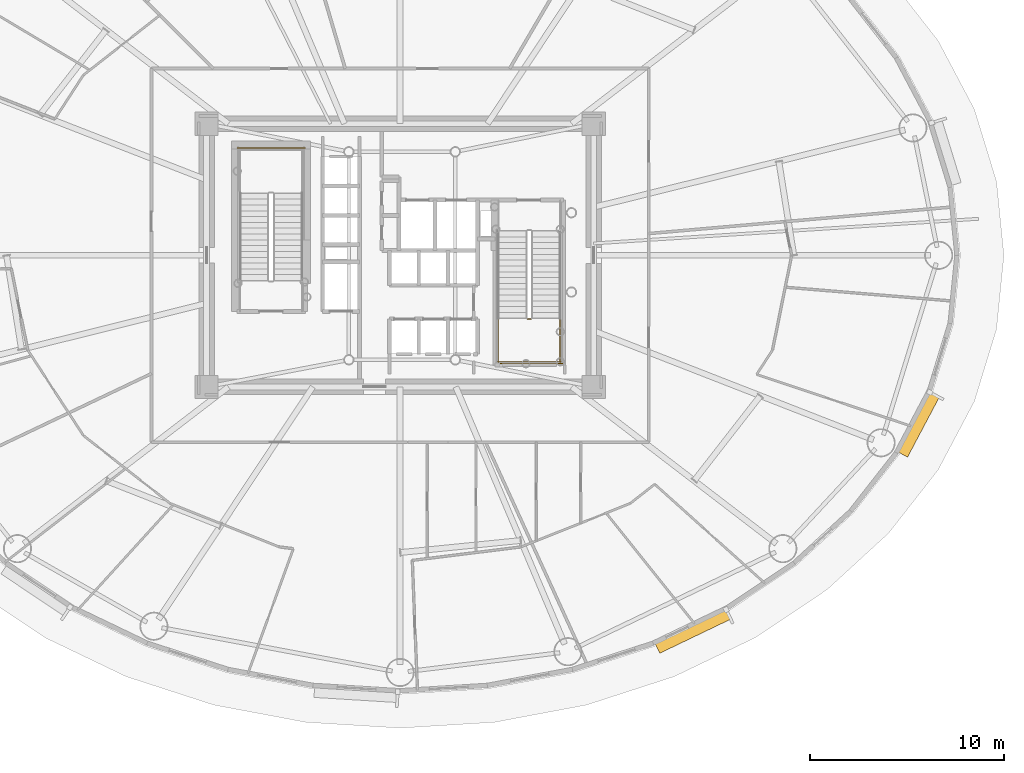
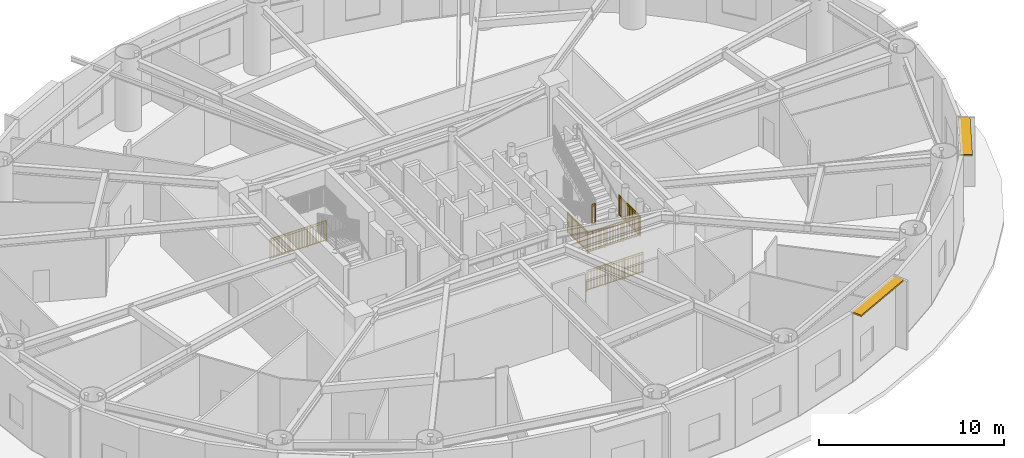
# One storey, part 16 of 19: 6 railings, 2 shading devices.
"""IFC4 building model written with IfcOpenShell, lengths in metres."""

from ifc_helpers import new_model, si_unit, direction, frame, origin, origin_2d, place, context, subcontext, project, spatial, rectangle, extrude, source, transform, mapped, material, layer, layer_set, type_object, element, save


model = new_model("IFC4")

# Units and contexts
model_context = context("Model", 3, precision=1e-05, world=origin(), true_north=direction((0.0, 1.0)))
body_context = subcontext(model_context, "Body", "Model", "MODEL_VIEW")
ifc_project = project(units=[si_unit("LENGTHUNIT", "METRE"), si_unit("AREAUNIT", "SQUARE_METRE"), si_unit("VOLUMEUNIT", "CUBIC_METRE"), si_unit("PLANEANGLEUNIT", "RADIAN"), si_unit("MASSUNIT", "GRAM", prefix="KILO")], contexts=[model_context])

# Site, building, storey
site_placement = place(None, origin())
site = spatial("IfcSite", under=ifc_project, at=site_placement, CompositionType="ELEMENT")
building_placement = place(site_placement, origin())
building = spatial("IfcBuilding", under=site, at=building_placement, Name="Linh Dai School and Residence Tower", CompositionType="ELEMENT")
storey_placement = place(building_placement, frame((0.0, 0.0, 92.39990234375)))
storey = spatial("IfcBuildingStorey", under=building, at=storey_placement, Name="L21", CompositionType="ELEMENT", Elevation=92.39990234375)

# Shading devices
ifc_material_1 = material(Name="Terracotta Ceramic Sunshade", Category="masonry")
ifc_layer = layer(ifc_material_1, 0.10009765625)
ifc_layer_set = layer_set([ifc_layer], Name="Terracotta Ceramic Sunshade")
shading_device_type = type_object("IfcShadingDeviceType", Name="SHD-TC-650", PredefinedType="USERDEFINED", material=ifc_layer_set)
shared_shape_1 = source(origin(), body_context, "Body", "SweptSolid", [
    extrude(rectangle(XDim=4.1005859375, YDim=0.64990234375, at=origin_2d()), origin(), (0.0, 0.0, 1.0), 0.10009765625),
])
shading_device_1_placement = place(storey_placement, frame((51.122802734375, 7.61962890625, 4.429931640625), z_axis=(0.0, 0.0, 1.0), x_axis=(-0.901577518371, -0.432617589064, 0.0)))
element("IfcShadingDevice", 1, at=shading_device_1_placement, inside=storey, type_object=shading_device_type, Name="L21 Terracotta Horizontal Sunshade Band 34", ObjectType="SUNSHADE", PredefinedType="USERDEFINED", context=body_context, shape_type="MappedRepresentation", body=[
    mapped(shared_shape_1, transform((0.0, 0.0, 0.0), x_axis=(1.0, 0.0, 0.0), y_axis=(0.0, 1.0, 0.0), z_axis=(0.0, 0.0, 1.0), scale=1.0)),
])
shared_shape_2 = source(origin(), body_context, "Body", "SweptSolid", [
    extrude(rectangle(XDim=3.541015625, YDim=0.64990234375, at=origin_2d()), origin(), (0.0, 0.0, 1.0), 0.10009765625),
])
shading_device_2_placement = place(storey_placement, frame((62.759521484375, 18.291259765625, 4.429931640625), z_axis=(0.0, 0.0, 1.0), x_axis=(-0.467596217252, -0.883942180016, 0.0)))
element("IfcShadingDevice", 2, at=shading_device_2_placement, inside=storey, type_object=shading_device_type, Name="L21 Terracotta Horizontal Sunshade Band 38", ObjectType="SUNSHADE", PredefinedType="USERDEFINED", context=body_context, shape_type="MappedRepresentation", body=[
    mapped(shared_shape_2, transform((0.0, 0.0, 0.0), x_axis=(1.0, 0.0, 0.0), y_axis=(0.0, 1.0, 0.0), z_axis=(0.0, 0.0, 1.0), scale=1.0)),
])

# Railings
ifc_material_2 = material(Name="Structural Steel S355JR", Category="steel")
railing_type = type_object("IfcRailingType", Name="RL-ST-GUARD-1400", PredefinedType="GUARDRAIL", material=ifc_material_2)
shared_shape_3 = source(origin(), body_context, "Body", "SweptSolid", [
    extrude(rectangle(XDim=0.048095703125, YDim=0.048095703125, at=origin_2d()), frame((0.0, 0.0, 1.3759765625), z_axis=(-1.0, 0.0, 0.0), x_axis=(0.0, -1.0, 0.0)), (0.0, 0.0, 1.0), 3.5),
    extrude(rectangle(XDim=0.048095703125, YDim=0.048095703125, at=origin_2d()), frame((0.0, 0.0, 0.10009765625), z_axis=(-1.0, 0.0, 0.0), x_axis=(0.0, -1.0, 0.0)), (0.0, 0.0, 1.0), 3.5),
    extrude(rectangle(XDim=0.030029296875, YDim=0.030029296875, at=origin_2d()), frame((0.0, 0.0, 1.239990234375), z_axis=(-1.0, 0.0, 0.0), x_axis=(0.0, -1.0, 0.0)), (0.0, 0.0, 1.0), 3.5),
    extrude(rectangle(XDim=0.02001953125, YDim=0.02001953125, at=origin_2d()), frame((-0.09716796875, 0.0, 0.10009765625)), (0.0, 0.0, 1.0), 1.251708984375),
    extrude(rectangle(XDim=0.02001953125, YDim=0.02001953125, at=origin_2d()), frame((-0.1943359375, 0.0, 0.10009765625)), (0.0, 0.0, 1.0), 1.251708984375),
    extrude(rectangle(XDim=0.02001953125, YDim=0.02001953125, at=origin_2d()), frame((-0.291748046875, 0.0, 0.10009765625)), (0.0, 0.0, 1.0), 1.251708984375),
    extrude(rectangle(XDim=0.02001953125, YDim=0.02001953125, at=origin_2d()), frame((-0.388916015625, 0.0, 0.10009765625)), (0.0, 0.0, 1.0), 1.251708984375),
    extrude(rectangle(XDim=0.02001953125, YDim=0.02001953125, at=origin_2d()), frame((-0.486083984375, 0.0, 0.10009765625)), (0.0, 0.0, 1.0), 1.251708984375),
    extrude(rectangle(XDim=0.02001953125, YDim=0.02001953125, at=origin_2d()), frame((-0.583251953125, 0.0, 0.10009765625)), (0.0, 0.0, 1.0), 1.251708984375),
    extrude(rectangle(XDim=0.02001953125, YDim=0.02001953125, at=origin_2d()), frame((-0.6806640625, 0.0, 0.10009765625)), (0.0, 0.0, 1.0), 1.251708984375),
    extrude(rectangle(XDim=0.02001953125, YDim=0.02001953125, at=origin_2d()), frame((-0.77783203125, 0.0, 0.10009765625)), (0.0, 0.0, 1.0), 1.251708984375),
    extrude(rectangle(XDim=0.02001953125, YDim=0.02001953125, at=origin_2d()), frame((-0.875, 0.0, 0.10009765625)), (0.0, 0.0, 1.0), 1.251708984375),
    extrude(rectangle(XDim=0.02001953125, YDim=0.02001953125, at=origin_2d()), frame((-0.97216796875, 0.0, 0.10009765625)), (0.0, 0.0, 1.0), 1.251708984375),
    extrude(rectangle(XDim=0.02001953125, YDim=0.02001953125, at=origin_2d()), frame((-1.0693359375, 0.0, 0.10009765625)), (0.0, 0.0, 1.0), 1.251708984375),
    extrude(rectangle(XDim=0.02001953125, YDim=0.02001953125, at=origin_2d()), frame((-1.263916015625, 0.0, 0.10009765625)), (0.0, 0.0, 1.0), 1.251708984375),
    extrude(rectangle(XDim=0.02001953125, YDim=0.02001953125, at=origin_2d()), frame((-1.361083984375, 0.0, 0.10009765625)), (0.0, 0.0, 1.0), 1.251708984375),
    extrude(rectangle(XDim=0.02001953125, YDim=0.02001953125, at=origin_2d()), frame((-1.458251953125, 0.0, 0.10009765625)), (0.0, 0.0, 1.0), 1.251708984375),
    extrude(rectangle(XDim=0.02001953125, YDim=0.02001953125, at=origin_2d()), frame((-1.5556640625, 0.0, 0.10009765625)), (0.0, 0.0, 1.0), 1.251708984375),
    extrude(rectangle(XDim=0.02001953125, YDim=0.02001953125, at=origin_2d()), frame((-1.65283203125, 0.0, 0.10009765625)), (0.0, 0.0, 1.0), 1.251708984375),
    extrude(rectangle(XDim=0.02001953125, YDim=0.02001953125, at=origin_2d()), frame((-1.75, 0.0, 0.10009765625)), (0.0, 0.0, 1.0), 1.251708984375),
    extrude(rectangle(XDim=0.02001953125, YDim=0.02001953125, at=origin_2d()), frame((-1.84716796875, 0.0, 0.10009765625)), (0.0, 0.0, 1.0), 1.251708984375),
    extrude(rectangle(XDim=0.02001953125, YDim=0.02001953125, at=origin_2d()), frame((-1.9443359375, 0.0, 0.10009765625)), (0.0, 0.0, 1.0), 1.251708984375),
    extrude(rectangle(XDim=0.02001953125, YDim=0.02001953125, at=origin_2d()), frame((-2.041748046875, 0.0, 0.10009765625)), (0.0, 0.0, 1.0), 1.251708984375),
    extrude(rectangle(XDim=0.02001953125, YDim=0.02001953125, at=origin_2d()), frame((-2.138916015625, 0.0, 0.10009765625)), (0.0, 0.0, 1.0), 1.251708984375),
    extrude(rectangle(XDim=0.02001953125, YDim=0.02001953125, at=origin_2d()), frame((-2.236083984375, 0.0, 0.10009765625)), (0.0, 0.0, 1.0), 1.251708984375),
    extrude(rectangle(XDim=0.02001953125, YDim=0.02001953125, at=origin_2d()), frame((-2.4306640625, 0.0, 0.10009765625)), (0.0, 0.0, 1.0), 1.251708984375),
    extrude(rectangle(XDim=0.02001953125, YDim=0.02001953125, at=origin_2d()), frame((-2.52783203125, 0.0, 0.10009765625)), (0.0, 0.0, 1.0), 1.251708984375),
    extrude(rectangle(XDim=0.02001953125, YDim=0.02001953125, at=origin_2d()), frame((-2.625, 0.0, 0.10009765625)), (0.0, 0.0, 1.0), 1.251708984375),
    extrude(rectangle(XDim=0.02001953125, YDim=0.02001953125, at=origin_2d()), frame((-2.72216796875, 0.0, 0.10009765625)), (0.0, 0.0, 1.0), 1.251708984375),
    extrude(rectangle(XDim=0.02001953125, YDim=0.02001953125, at=origin_2d()), frame((-2.8193359375, 0.0, 0.10009765625)), (0.0, 0.0, 1.0), 1.251708984375),
    extrude(rectangle(XDim=0.02001953125, YDim=0.02001953125, at=origin_2d()), frame((-2.916748046875, 0.0, 0.10009765625)), (0.0, 0.0, 1.0), 1.251708984375),
    extrude(rectangle(XDim=0.02001953125, YDim=0.02001953125, at=origin_2d()), frame((-3.013916015625, 0.0, 0.10009765625)), (0.0, 0.0, 1.0), 1.251708984375),
    extrude(rectangle(XDim=0.02001953125, YDim=0.02001953125, at=origin_2d()), frame((-3.111083984375, 0.0, 0.10009765625)), (0.0, 0.0, 1.0), 1.251708984375),
    extrude(rectangle(XDim=0.02001953125, YDim=0.02001953125, at=origin_2d()), frame((-3.208251953125, 0.0, 0.10009765625)), (0.0, 0.0, 1.0), 1.251708984375),
    extrude(rectangle(XDim=0.02001953125, YDim=0.02001953125, at=origin_2d()), frame((-3.3056640625, 0.0, 0.10009765625)), (0.0, 0.0, 1.0), 1.251708984375),
    extrude(rectangle(XDim=0.02001953125, YDim=0.02001953125, at=origin_2d()), frame((-3.40283203125, 0.0, 0.10009765625)), (0.0, 0.0, 1.0), 1.251708984375),
    extrude(rectangle(XDim=0.0419921875, YDim=0.0419921875, at=origin_2d()), origin(), (0.0, 0.0, 1.0), 1.3759765625),
    extrude(rectangle(XDim=0.0419921875, YDim=0.0419921875, at=origin_2d()), frame((-1.166748046875, 0.0, 0.0)), (0.0, 0.0, 1.0), 1.3759765625),
    extrude(rectangle(XDim=0.0419921875, YDim=0.0419921875, at=origin_2d()), frame((-2.333251953125, 0.0, 0.0)), (0.0, 0.0, 1.0), 1.3759765625),
    extrude(rectangle(XDim=0.0419921875, YDim=0.0419921875, at=origin_2d()), frame((-3.5, 0.0, 0.0)), (0.0, 0.0, 1.0), 1.3759765625),
])
railing_1_placement = place(storey_placement, frame((31.080078125, 32.550048828125, 0.0)))
element("IfcRailing", 3, at=railing_1_placement, inside=storey, type_object=railing_type, Name="L21 ST1 stair guard 12", PredefinedType="GUARDRAIL", context=body_context, shape_type="MappedRepresentation", body=[
    mapped(shared_shape_3, transform((0.0, 0.0, 0.0), x_axis=(1.0, 0.0, 0.0), y_axis=(0.0, 1.0, 0.0), z_axis=(0.0, 0.0, 1.0), scale=1.0)),
])
shared_shape_4 = source(origin(), body_context, "Body", "SweptSolid", [
    extrude(rectangle(XDim=0.048095703125, YDim=0.048095703125, at=origin_2d()), frame((0.0, 0.0, 1.3759765625), z_axis=(1.0, 0.0, 0.0), x_axis=(0.0, 1.0, 0.0)), (0.0, 0.0, 1.0), 0.199951171875),
    extrude(rectangle(XDim=0.048095703125, YDim=0.048095703125, at=origin_2d()), frame((0.0, 0.0, 0.10009765625), z_axis=(1.0, 0.0, 0.0), x_axis=(0.0, 1.0, 0.0)), (0.0, 0.0, 1.0), 0.199951171875),
    extrude(rectangle(XDim=0.030029296875, YDim=0.030029296875, at=origin_2d()), frame((0.0, 0.0, 1.239990234375), z_axis=(1.0, 0.0, 0.0), x_axis=(0.0, 1.0, 0.0)), (0.0, 0.0, 1.0), 0.199951171875),
    extrude(rectangle(XDim=0.0419921875, YDim=0.0419921875, at=origin_2d()), origin(), (0.0, 0.0, 1.0), 1.3759765625),
    extrude(rectangle(XDim=0.0419921875, YDim=0.0419921875, at=origin_2d()), frame((0.199951171875, 0.0, 0.0)), (0.0, 0.0, 1.0), 1.3759765625),
])
railing_2_placement = place(storey_placement, frame((42.570068359375, 23.699951171875, 2.400146484375)))
element("IfcRailing", 4, at=railing_2_placement, inside=storey, type_object=railing_type, Name="L21 ST2 stair guard 2", PredefinedType="GUARDRAIL", context=body_context, shape_type="MappedRepresentation", body=[
    mapped(shared_shape_4, transform((0.0, 0.0, 0.0), x_axis=(1.0, 0.0, 0.0), y_axis=(0.0, 1.0, 0.0), z_axis=(0.0, 0.0, 1.0), scale=1.0)),
])
shared_shape_5 = source(origin(), body_context, "Body", "SweptSolid", [
    extrude(rectangle(XDim=0.048095703125, YDim=0.048095703125, at=origin_2d()), frame((0.0, 0.0, 1.3759765625), z_axis=(1.0, 0.0, 0.0), x_axis=(0.0, 1.0, 0.0)), (0.0, 0.0, 1.0), 3.300048828125),
    extrude(rectangle(XDim=0.048095703125, YDim=0.048095703125, at=origin_2d()), frame((0.0, 0.0, 0.10009765625), z_axis=(1.0, 0.0, 0.0), x_axis=(0.0, 1.0, 0.0)), (0.0, 0.0, 1.0), 3.300048828125),
    extrude(rectangle(XDim=0.030029296875, YDim=0.030029296875, at=origin_2d()), frame((0.0, 0.0, 1.239990234375), z_axis=(1.0, 0.0, 0.0), x_axis=(0.0, 1.0, 0.0)), (0.0, 0.0, 1.0), 3.300048828125),
    extrude(rectangle(XDim=0.02001953125, YDim=0.02001953125, at=origin_2d()), frame((0.09716796875, 0.0, 0.10009765625)), (0.0, 0.0, 1.0), 1.251708984375),
    extrude(rectangle(XDim=0.02001953125, YDim=0.02001953125, at=origin_2d()), frame((0.194091796875, 0.0, 0.10009765625)), (0.0, 0.0, 1.0), 1.251708984375),
    extrude(rectangle(XDim=0.02001953125, YDim=0.02001953125, at=origin_2d()), frame((0.291259765625, 0.0, 0.10009765625)), (0.0, 0.0, 1.0), 1.251708984375),
    extrude(rectangle(XDim=0.02001953125, YDim=0.02001953125, at=origin_2d()), frame((0.38818359375, 0.0, 0.10009765625)), (0.0, 0.0, 1.0), 1.251708984375),
    extrude(rectangle(XDim=0.02001953125, YDim=0.02001953125, at=origin_2d()), frame((0.4853515625, 0.0, 0.10009765625)), (0.0, 0.0, 1.0), 1.251708984375),
    extrude(rectangle(XDim=0.02001953125, YDim=0.02001953125, at=origin_2d()), frame((0.582275390625, 0.0, 0.10009765625)), (0.0, 0.0, 1.0), 1.251708984375),
    extrude(rectangle(XDim=0.02001953125, YDim=0.02001953125, at=origin_2d()), frame((0.679443359375, 0.0, 0.10009765625)), (0.0, 0.0, 1.0), 1.251708984375),
    extrude(rectangle(XDim=0.02001953125, YDim=0.02001953125, at=origin_2d()), frame((0.7763671875, 0.0, 0.10009765625)), (0.0, 0.0, 1.0), 1.251708984375),
    extrude(rectangle(XDim=0.02001953125, YDim=0.02001953125, at=origin_2d()), frame((0.87353515625, 0.0, 0.10009765625)), (0.0, 0.0, 1.0), 1.251708984375),
    extrude(rectangle(XDim=0.02001953125, YDim=0.02001953125, at=origin_2d()), frame((0.970703125, 0.0, 0.10009765625)), (0.0, 0.0, 1.0), 1.251708984375),
    extrude(rectangle(XDim=0.02001953125, YDim=0.02001953125, at=origin_2d()), frame((1.164794921875, 0.0, 0.10009765625)), (0.0, 0.0, 1.0), 1.251708984375),
    extrude(rectangle(XDim=0.02001953125, YDim=0.02001953125, at=origin_2d()), frame((1.26171875, 0.0, 0.10009765625)), (0.0, 0.0, 1.0), 1.251708984375),
    extrude(rectangle(XDim=0.02001953125, YDim=0.02001953125, at=origin_2d()), frame((1.35888671875, 0.0, 0.10009765625)), (0.0, 0.0, 1.0), 1.251708984375),
    extrude(rectangle(XDim=0.02001953125, YDim=0.02001953125, at=origin_2d()), frame((1.455810546875, 0.0, 0.10009765625)), (0.0, 0.0, 1.0), 1.251708984375),
    extrude(rectangle(XDim=0.02001953125, YDim=0.02001953125, at=origin_2d()), frame((1.552978515625, 0.0, 0.10009765625)), (0.0, 0.0, 1.0), 1.251708984375),
    extrude(rectangle(XDim=0.02001953125, YDim=0.02001953125, at=origin_2d()), frame((1.64990234375, 0.0, 0.10009765625)), (0.0, 0.0, 1.0), 1.251708984375),
    extrude(rectangle(XDim=0.02001953125, YDim=0.02001953125, at=origin_2d()), frame((1.7470703125, 0.0, 0.10009765625)), (0.0, 0.0, 1.0), 1.251708984375),
    extrude(rectangle(XDim=0.02001953125, YDim=0.02001953125, at=origin_2d()), frame((1.84423828125, 0.0, 0.10009765625)), (0.0, 0.0, 1.0), 1.251708984375),
    extrude(rectangle(XDim=0.02001953125, YDim=0.02001953125, at=origin_2d()), frame((1.941162109375, 0.0, 0.10009765625)), (0.0, 0.0, 1.0), 1.251708984375),
    extrude(rectangle(XDim=0.02001953125, YDim=0.02001953125, at=origin_2d()), frame((2.038330078125, 0.0, 0.10009765625)), (0.0, 0.0, 1.0), 1.251708984375),
    extrude(rectangle(XDim=0.02001953125, YDim=0.02001953125, at=origin_2d()), frame((2.13525390625, 0.0, 0.10009765625)), (0.0, 0.0, 1.0), 1.251708984375),
    extrude(rectangle(XDim=0.02001953125, YDim=0.02001953125, at=origin_2d()), frame((2.329345703125, 0.0, 0.10009765625)), (0.0, 0.0, 1.0), 1.251708984375),
    extrude(rectangle(XDim=0.02001953125, YDim=0.02001953125, at=origin_2d()), frame((2.426513671875, 0.0, 0.10009765625)), (0.0, 0.0, 1.0), 1.251708984375),
    extrude(rectangle(XDim=0.02001953125, YDim=0.02001953125, at=origin_2d()), frame((2.523681640625, 0.0, 0.10009765625)), (0.0, 0.0, 1.0), 1.251708984375),
    extrude(rectangle(XDim=0.02001953125, YDim=0.02001953125, at=origin_2d()), frame((2.62060546875, 0.0, 0.10009765625)), (0.0, 0.0, 1.0), 1.251708984375),
    extrude(rectangle(XDim=0.02001953125, YDim=0.02001953125, at=origin_2d()), frame((2.7177734375, 0.0, 0.10009765625)), (0.0, 0.0, 1.0), 1.251708984375),
    extrude(rectangle(XDim=0.02001953125, YDim=0.02001953125, at=origin_2d()), frame((2.814697265625, 0.0, 0.10009765625)), (0.0, 0.0, 1.0), 1.251708984375),
    extrude(rectangle(XDim=0.02001953125, YDim=0.02001953125, at=origin_2d()), frame((2.911865234375, 0.0, 0.10009765625)), (0.0, 0.0, 1.0), 1.251708984375),
    extrude(rectangle(XDim=0.02001953125, YDim=0.02001953125, at=origin_2d()), frame((3.0087890625, 0.0, 0.10009765625)), (0.0, 0.0, 1.0), 1.251708984375),
    extrude(rectangle(XDim=0.02001953125, YDim=0.02001953125, at=origin_2d()), frame((3.10595703125, 0.0, 0.10009765625)), (0.0, 0.0, 1.0), 1.251708984375),
    extrude(rectangle(XDim=0.02001953125, YDim=0.02001953125, at=origin_2d()), frame((3.202880859375, 0.0, 0.10009765625)), (0.0, 0.0, 1.0), 1.251708984375),
    extrude(rectangle(XDim=0.0419921875, YDim=0.0419921875, at=origin_2d()), origin(), (0.0, 0.0, 1.0), 1.3759765625),
    extrude(rectangle(XDim=0.0419921875, YDim=0.0419921875, at=origin_2d()), frame((1.10009765625, 0.0, 0.0)), (0.0, 0.0, 1.0), 1.3759765625),
    extrude(rectangle(XDim=0.0419921875, YDim=0.0419921875, at=origin_2d()), frame((2.199951171875, 0.0, 0.0)), (0.0, 0.0, 1.0), 1.3759765625),
    extrude(rectangle(XDim=0.0419921875, YDim=0.0419921875, at=origin_2d()), frame((3.300048828125, 0.0, 0.0)), (0.0, 0.0, 1.0), 1.3759765625),
])
railing_3_placement = place(storey_placement, frame((41.02001953125, 21.5, 2.400146484375)))
element("IfcRailing", 5, at=railing_3_placement, inside=storey, type_object=railing_type, Name="L21 ST2 stair guard 5", PredefinedType="GUARDRAIL", context=body_context, shape_type="MappedRepresentation", body=[
    mapped(shared_shape_5, transform((0.0, 0.0, 0.0), x_axis=(1.0, 0.0, 0.0), y_axis=(0.0, 1.0, 0.0), z_axis=(0.0, 0.0, 1.0), scale=1.0)),
])
shared_shape_6 = source(origin(), body_context, "Body", "SweptSolid", [
    extrude(rectangle(XDim=0.048095703125, YDim=0.048095703125, at=origin_2d()), frame((0.0, 0.0, 1.3759765625), z_axis=(1.0, 0.0, 0.0), x_axis=(0.0, 1.0, 0.0)), (0.0, 0.0, 1.0), 3.5),
    extrude(rectangle(XDim=0.048095703125, YDim=0.048095703125, at=origin_2d()), frame((0.0, 0.0, 0.10009765625), z_axis=(1.0, 0.0, 0.0), x_axis=(0.0, 1.0, 0.0)), (0.0, 0.0, 1.0), 3.5),
    extrude(rectangle(XDim=0.030029296875, YDim=0.030029296875, at=origin_2d()), frame((0.0, 0.0, 1.239990234375), z_axis=(1.0, 0.0, 0.0), x_axis=(0.0, 1.0, 0.0)), (0.0, 0.0, 1.0), 3.5),
    extrude(rectangle(XDim=0.02001953125, YDim=0.02001953125, at=origin_2d()), frame((0.09716796875, 0.0, 0.10009765625)), (0.0, 0.0, 1.0), 1.251708984375),
    extrude(rectangle(XDim=0.02001953125, YDim=0.02001953125, at=origin_2d()), frame((0.1943359375, 0.0, 0.10009765625)), (0.0, 0.0, 1.0), 1.251708984375),
    extrude(rectangle(XDim=0.02001953125, YDim=0.02001953125, at=origin_2d()), frame((0.291748046875, 0.0, 0.10009765625)), (0.0, 0.0, 1.0), 1.251708984375),
    extrude(rectangle(XDim=0.02001953125, YDim=0.02001953125, at=origin_2d()), frame((0.388916015625, 0.0, 0.10009765625)), (0.0, 0.0, 1.0), 1.251708984375),
    extrude(rectangle(XDim=0.02001953125, YDim=0.02001953125, at=origin_2d()), frame((0.486083984375, 0.0, 0.10009765625)), (0.0, 0.0, 1.0), 1.251708984375),
    extrude(rectangle(XDim=0.02001953125, YDim=0.02001953125, at=origin_2d()), frame((0.583251953125, 0.0, 0.10009765625)), (0.0, 0.0, 1.0), 1.251708984375),
    extrude(rectangle(XDim=0.02001953125, YDim=0.02001953125, at=origin_2d()), frame((0.6806640625, 0.0, 0.10009765625)), (0.0, 0.0, 1.0), 1.251708984375),
    extrude(rectangle(XDim=0.02001953125, YDim=0.02001953125, at=origin_2d()), frame((0.77783203125, 0.0, 0.10009765625)), (0.0, 0.0, 1.0), 1.251708984375),
    extrude(rectangle(XDim=0.02001953125, YDim=0.02001953125, at=origin_2d()), frame((0.875, 0.0, 0.10009765625)), (0.0, 0.0, 1.0), 1.251708984375),
    extrude(rectangle(XDim=0.02001953125, YDim=0.02001953125, at=origin_2d()), frame((0.97216796875, 0.0, 0.10009765625)), (0.0, 0.0, 1.0), 1.251708984375),
    extrude(rectangle(XDim=0.02001953125, YDim=0.02001953125, at=origin_2d()), frame((1.0693359375, 0.0, 0.10009765625)), (0.0, 0.0, 1.0), 1.251708984375),
    extrude(rectangle(XDim=0.02001953125, YDim=0.02001953125, at=origin_2d()), frame((1.263916015625, 0.0, 0.10009765625)), (0.0, 0.0, 1.0), 1.251708984375),
    extrude(rectangle(XDim=0.02001953125, YDim=0.02001953125, at=origin_2d()), frame((1.361083984375, 0.0, 0.10009765625)), (0.0, 0.0, 1.0), 1.251708984375),
    extrude(rectangle(XDim=0.02001953125, YDim=0.02001953125, at=origin_2d()), frame((1.458251953125, 0.0, 0.10009765625)), (0.0, 0.0, 1.0), 1.251708984375),
    extrude(rectangle(XDim=0.02001953125, YDim=0.02001953125, at=origin_2d()), frame((1.5556640625, 0.0, 0.10009765625)), (0.0, 0.0, 1.0), 1.251708984375),
    extrude(rectangle(XDim=0.02001953125, YDim=0.02001953125, at=origin_2d()), frame((1.65283203125, 0.0, 0.10009765625)), (0.0, 0.0, 1.0), 1.251708984375),
    extrude(rectangle(XDim=0.02001953125, YDim=0.02001953125, at=origin_2d()), frame((1.75, 0.0, 0.10009765625)), (0.0, 0.0, 1.0), 1.251708984375),
    extrude(rectangle(XDim=0.02001953125, YDim=0.02001953125, at=origin_2d()), frame((1.84716796875, 0.0, 0.10009765625)), (0.0, 0.0, 1.0), 1.251708984375),
    extrude(rectangle(XDim=0.02001953125, YDim=0.02001953125, at=origin_2d()), frame((1.9443359375, 0.0, 0.10009765625)), (0.0, 0.0, 1.0), 1.251708984375),
    extrude(rectangle(XDim=0.02001953125, YDim=0.02001953125, at=origin_2d()), frame((2.041748046875, 0.0, 0.10009765625)), (0.0, 0.0, 1.0), 1.251708984375),
    extrude(rectangle(XDim=0.02001953125, YDim=0.02001953125, at=origin_2d()), frame((2.138916015625, 0.0, 0.10009765625)), (0.0, 0.0, 1.0), 1.251708984375),
    extrude(rectangle(XDim=0.02001953125, YDim=0.02001953125, at=origin_2d()), frame((2.236083984375, 0.0, 0.10009765625)), (0.0, 0.0, 1.0), 1.251708984375),
    extrude(rectangle(XDim=0.02001953125, YDim=0.02001953125, at=origin_2d()), frame((2.4306640625, 0.0, 0.10009765625)), (0.0, 0.0, 1.0), 1.251708984375),
    extrude(rectangle(XDim=0.02001953125, YDim=0.02001953125, at=origin_2d()), frame((2.52783203125, 0.0, 0.10009765625)), (0.0, 0.0, 1.0), 1.251708984375),
    extrude(rectangle(XDim=0.02001953125, YDim=0.02001953125, at=origin_2d()), frame((2.625, 0.0, 0.10009765625)), (0.0, 0.0, 1.0), 1.251708984375),
    extrude(rectangle(XDim=0.02001953125, YDim=0.02001953125, at=origin_2d()), frame((2.72216796875, 0.0, 0.10009765625)), (0.0, 0.0, 1.0), 1.251708984375),
    extrude(rectangle(XDim=0.02001953125, YDim=0.02001953125, at=origin_2d()), frame((2.8193359375, 0.0, 0.10009765625)), (0.0, 0.0, 1.0), 1.251708984375),
    extrude(rectangle(XDim=0.02001953125, YDim=0.02001953125, at=origin_2d()), frame((2.916748046875, 0.0, 0.10009765625)), (0.0, 0.0, 1.0), 1.251708984375),
    extrude(rectangle(XDim=0.02001953125, YDim=0.02001953125, at=origin_2d()), frame((3.013916015625, 0.0, 0.10009765625)), (0.0, 0.0, 1.0), 1.251708984375),
    extrude(rectangle(XDim=0.02001953125, YDim=0.02001953125, at=origin_2d()), frame((3.111083984375, 0.0, 0.10009765625)), (0.0, 0.0, 1.0), 1.251708984375),
    extrude(rectangle(XDim=0.02001953125, YDim=0.02001953125, at=origin_2d()), frame((3.208251953125, 0.0, 0.10009765625)), (0.0, 0.0, 1.0), 1.251708984375),
    extrude(rectangle(XDim=0.02001953125, YDim=0.02001953125, at=origin_2d()), frame((3.3056640625, 0.0, 0.10009765625)), (0.0, 0.0, 1.0), 1.251708984375),
    extrude(rectangle(XDim=0.02001953125, YDim=0.02001953125, at=origin_2d()), frame((3.40283203125, 0.0, 0.10009765625)), (0.0, 0.0, 1.0), 1.251708984375),
    extrude(rectangle(XDim=0.0419921875, YDim=0.0419921875, at=origin_2d()), origin(), (0.0, 0.0, 1.0), 1.3759765625),
    extrude(rectangle(XDim=0.0419921875, YDim=0.0419921875, at=origin_2d()), frame((1.166748046875, 0.0, 0.0)), (0.0, 0.0, 1.0), 1.3759765625),
    extrude(rectangle(XDim=0.0419921875, YDim=0.0419921875, at=origin_2d()), frame((2.333251953125, 0.0, 0.0)), (0.0, 0.0, 1.0), 1.3759765625),
    extrude(rectangle(XDim=0.0419921875, YDim=0.0419921875, at=origin_2d()), frame((3.5, 0.0, 0.0)), (0.0, 0.0, 1.0), 1.3759765625),
])
railing_4_placement = place(storey_placement, frame((40.919921875, 21.39990234375, 0.0)))
element("IfcRailing", 6, at=railing_4_placement, inside=storey, type_object=railing_type, Name="L21 ST2 stair guard 12", PredefinedType="GUARDRAIL", context=body_context, shape_type="MappedRepresentation", body=[
    mapped(shared_shape_6, transform((0.0, 0.0, 0.0), x_axis=(1.0, 0.0, 0.0), y_axis=(0.0, 1.0, 0.0), z_axis=(0.0, 0.0, 1.0), scale=1.0)),
])
shared_shape_7 = source(origin(), body_context, "Body", "SweptSolid", [
    extrude(rectangle(XDim=0.048095703125, YDim=0.048095703125, at=origin_2d()), frame((0.0, 0.0, 1.3759765625), z_axis=(0.0, -1.0, 0.0), x_axis=(1.0, 0.0, 0.0)), (0.0, 0.0, 1.0), 2.300048828125),
    extrude(rectangle(XDim=0.048095703125, YDim=0.048095703125, at=origin_2d()), frame((0.0, 0.0, 0.10009765625), z_axis=(0.0, -1.0, 0.0), x_axis=(1.0, 0.0, 0.0)), (0.0, 0.0, 1.0), 2.300048828125),
    extrude(rectangle(XDim=0.030029296875, YDim=0.030029296875, at=origin_2d()), frame((0.0, 0.0, 1.239990234375), z_axis=(0.0, -1.0, 0.0), x_axis=(1.0, 0.0, 0.0)), (0.0, 0.0, 1.0), 2.300048828125),
    extrude(rectangle(XDim=0.02001953125, YDim=0.02001953125, at=origin_2d()), frame((0.0, -0.095947265625, 0.10009765625)), (0.0, 0.0, 1.0), 1.251708984375),
    extrude(rectangle(XDim=0.02001953125, YDim=0.02001953125, at=origin_2d()), frame((0.0, -0.191650390625, 0.10009765625)), (0.0, 0.0, 1.0), 1.251708984375),
    extrude(rectangle(XDim=0.02001953125, YDim=0.02001953125, at=origin_2d()), frame((0.0, -0.28759765625, 0.10009765625)), (0.0, 0.0, 1.0), 1.251708984375),
    extrude(rectangle(XDim=0.02001953125, YDim=0.02001953125, at=origin_2d()), frame((0.0, -0.38330078125, 0.10009765625)), (0.0, 0.0, 1.0), 1.251708984375),
    extrude(rectangle(XDim=0.02001953125, YDim=0.02001953125, at=origin_2d()), frame((0.0, -0.479248046875, 0.10009765625)), (0.0, 0.0, 1.0), 1.251708984375),
    extrude(rectangle(XDim=0.02001953125, YDim=0.02001953125, at=origin_2d()), frame((0.0, -0.574951171875, 0.10009765625)), (0.0, 0.0, 1.0), 1.251708984375),
    extrude(rectangle(XDim=0.02001953125, YDim=0.02001953125, at=origin_2d()), frame((0.0, -0.6708984375, 0.10009765625)), (0.0, 0.0, 1.0), 1.251708984375),
    extrude(rectangle(XDim=0.02001953125, YDim=0.02001953125, at=origin_2d()), frame((0.0, -0.7666015625, 0.10009765625)), (0.0, 0.0, 1.0), 1.251708984375),
    extrude(rectangle(XDim=0.02001953125, YDim=0.02001953125, at=origin_2d()), frame((0.0, -0.862548828125, 0.10009765625)), (0.0, 0.0, 1.0), 1.251708984375),
    extrude(rectangle(XDim=0.02001953125, YDim=0.02001953125, at=origin_2d()), frame((0.0, -0.958251953125, 0.10009765625)), (0.0, 0.0, 1.0), 1.251708984375),
    extrude(rectangle(XDim=0.02001953125, YDim=0.02001953125, at=origin_2d()), frame((0.0, -1.05419921875, 0.10009765625)), (0.0, 0.0, 1.0), 1.251708984375),
    extrude(rectangle(XDim=0.02001953125, YDim=0.02001953125, at=origin_2d()), frame((0.0, -1.245849609375, 0.10009765625)), (0.0, 0.0, 1.0), 1.251708984375),
    extrude(rectangle(XDim=0.02001953125, YDim=0.02001953125, at=origin_2d()), frame((0.0, -1.341796875, 0.10009765625)), (0.0, 0.0, 1.0), 1.251708984375),
    extrude(rectangle(XDim=0.02001953125, YDim=0.02001953125, at=origin_2d()), frame((0.0, -1.4375, 0.10009765625)), (0.0, 0.0, 1.0), 1.251708984375),
    extrude(rectangle(XDim=0.02001953125, YDim=0.02001953125, at=origin_2d()), frame((0.0, -1.533447265625, 0.10009765625)), (0.0, 0.0, 1.0), 1.251708984375),
    extrude(rectangle(XDim=0.02001953125, YDim=0.02001953125, at=origin_2d()), frame((0.0, -1.629150390625, 0.10009765625)), (0.0, 0.0, 1.0), 1.251708984375),
    extrude(rectangle(XDim=0.02001953125, YDim=0.02001953125, at=origin_2d()), frame((0.0, -1.72509765625, 0.10009765625)), (0.0, 0.0, 1.0), 1.251708984375),
    extrude(rectangle(XDim=0.02001953125, YDim=0.02001953125, at=origin_2d()), frame((0.0, -1.82080078125, 0.10009765625)), (0.0, 0.0, 1.0), 1.251708984375),
    extrude(rectangle(XDim=0.02001953125, YDim=0.02001953125, at=origin_2d()), frame((0.0, -1.916748046875, 0.10009765625)), (0.0, 0.0, 1.0), 1.251708984375),
    extrude(rectangle(XDim=0.02001953125, YDim=0.02001953125, at=origin_2d()), frame((0.0, -2.012451171875, 0.10009765625)), (0.0, 0.0, 1.0), 1.251708984375),
    extrude(rectangle(XDim=0.02001953125, YDim=0.02001953125, at=origin_2d()), frame((0.0, -2.1083984375, 0.10009765625)), (0.0, 0.0, 1.0), 1.251708984375),
    extrude(rectangle(XDim=0.02001953125, YDim=0.02001953125, at=origin_2d()), frame((0.0, -2.2041015625, 0.10009765625)), (0.0, 0.0, 1.0), 1.251708984375),
    extrude(rectangle(XDim=0.0419921875, YDim=0.0419921875, at=origin_2d()), origin(), (0.0, 0.0, 1.0), 1.3759765625),
    extrude(rectangle(XDim=0.0419921875, YDim=0.0419921875, at=origin_2d()), frame((0.0, -1.14990234375, 0.0)), (0.0, 0.0, 1.0), 1.3759765625),
    extrude(rectangle(XDim=0.0419921875, YDim=0.0419921875, at=origin_2d()), frame((0.0, -2.300048828125, 0.0)), (0.0, 0.0, 1.0), 1.3759765625),
])
for number, where, name in (
    (7, (41.070068359375, 23.75, 2.400146484375), "L21 ST2 stair guard 3"),
    (8, (44.27001953125, 23.75, 2.400146484375), "L21 ST2 stair guard 4"),
):
    element("IfcRailing", number, at=place(storey_placement, frame(where)), inside=storey, type_object=railing_type, Name=name, PredefinedType="GUARDRAIL", context=body_context, shape_type="MappedRepresentation", body=[
        mapped(shared_shape_7, transform((0.0, 0.0, 0.0), x_axis=(1.0, 0.0, 0.0), y_axis=(0.0, 1.0, 0.0), z_axis=(0.0, 0.0, 1.0), scale=1.0)),
    ])

save(model, "model.ifc")
